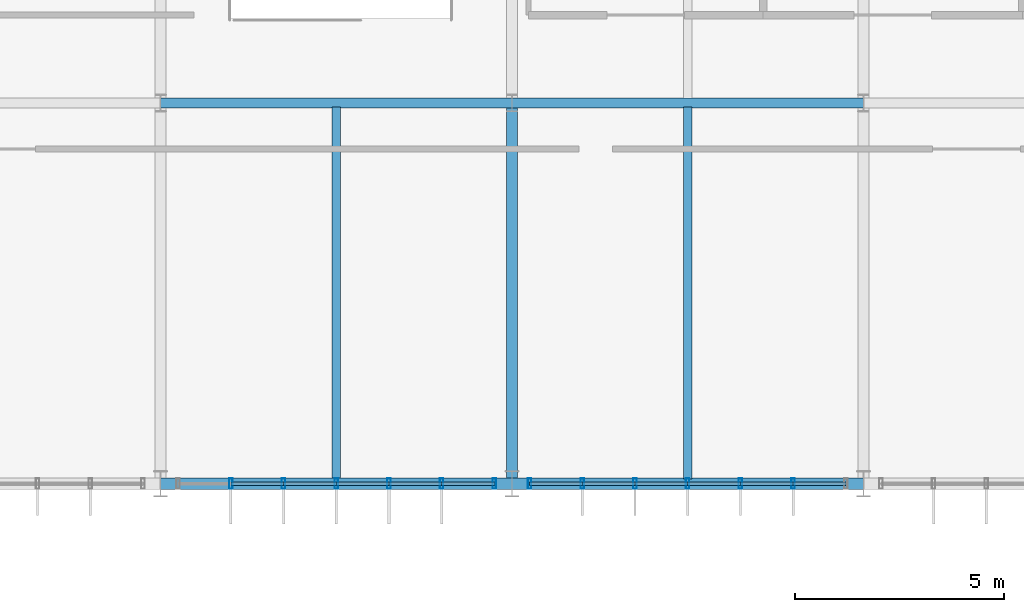
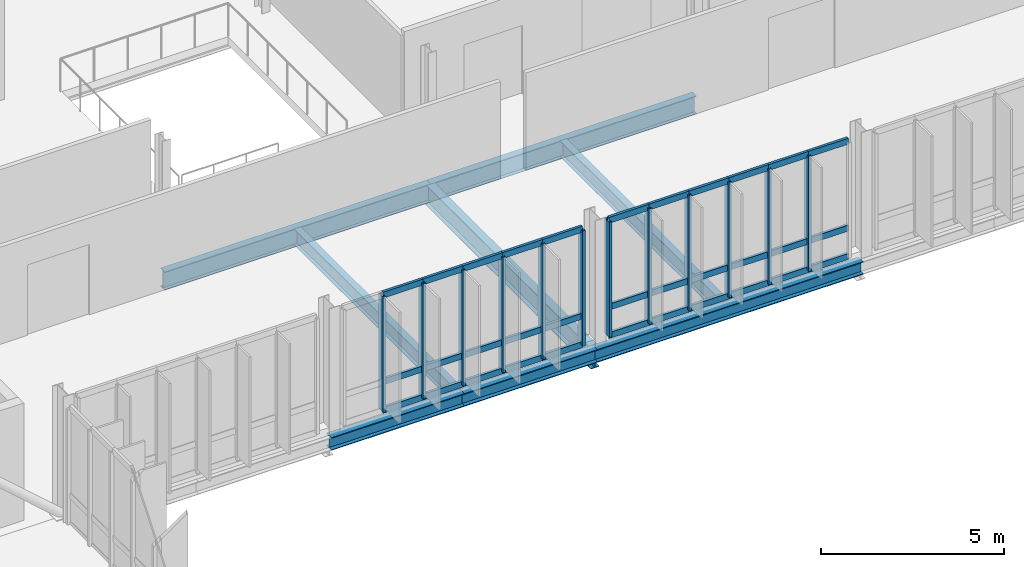
# One storey, part 33 of 107: 45 members, 8 beams, 2 elements without a shape of their own.
"""IFC4 building model written with IfcOpenShell, lengths in metres."""

import ifcopenshell
import ifcopenshell.guid

model = None  # the IFC model being written
_history = None  # IfcOwnerHistory: only IFC2X3 demands one
_inside = {}  # id of a spatial element -> (the spatial element, [elements in it])
_under = {}  # id of a project, library or spatial element -> (it, [spatial elements below it])
_declared = {}  # id of a project -> (the project, [libraries it declares])
_typed = {}  # id of a type object -> (the type object, [elements of that type])
_made_of = {}  # id of a material, layer set ... -> (it, [elements and type objects made of it])


def new_model(schema):
    """Start an empty IFC model of exactly this schema.

    Asked for "IFC4X3", IfcOpenShell would pick the latest addendum, in which some entities
    have other attributes; the version numbers below select the first issue.
    IFC2X3 requires an IfcOwnerHistory on every rooted entity: one is made here for all.
    """
    global model, _history
    if schema == "IFC4X3":
        model = ifcopenshell.file(schema_version=(4, 3, 0, 0))
    else:
        model = ifcopenshell.file(schema=schema)
    _inside.clear()
    _under.clear()
    _declared.clear()
    _typed.clear()
    _made_of.clear()
    _history = None
    if model.schema == "IFC2X3":
        org = make("IfcOrganization", Name="unknown")
        user = make(
            "IfcPersonAndOrganization",
            ThePerson=make("IfcPerson", FamilyName="unknown"),
            TheOrganization=org,
        )
        app = make(
            "IfcApplication",
            ApplicationDeveloper=org,
            Version="unknown",
            ApplicationFullName="unknown",
            ApplicationIdentifier="unknown",
        )
        _history = make(
            "IfcOwnerHistory",
            OwningUser=user,
            OwningApplication=app,
            ChangeAction="ADDED",
            CreationDate=0,
        )
    return model


def make(cls, **values):
    """One entity of the class cls with the attributes given. An attribute that is None is left unset."""
    return model.create_entity(
        cls, **{name: value for name, value in values.items() if value is not None}
    )


def rooted(cls, **values):
    """An entity with a GlobalId (a new one), such as an element, a storey or a relation."""
    return make(cls, GlobalId=ifcopenshell.guid.new(), OwnerHistory=_history, **values)


def si_unit(unit_type, name, prefix=None):
    """IfcSIUnit, for example si_unit("LENGTHUNIT", "METRE", prefix="MILLI")."""
    return make("IfcSIUnit", UnitType=unit_type, Prefix=prefix, Name=name)


def derived_unit(unit_type, elements):
    """IfcDerivedUnit: a product of units, each with its exponent."""
    return make(
        "IfcDerivedUnit",
        Elements=[
            make("IfcDerivedUnitElement", Unit=unit, Exponent=power)
            for unit, power in elements
        ],
        UnitType=unit_type,
    )


def assignment(units):
    """IfcUnitAssignment: the units of a project."""
    return None if units is None else make("IfcUnitAssignment", Units=units)


def point(xyz):
    """IfcCartesianPoint."""
    return None if xyz is None else make("IfcCartesianPoint", Coordinates=xyz)


def direction(xyz):
    """IfcDirection."""
    return None if xyz is None else make("IfcDirection", DirectionRatios=xyz)


def frame(location, z_axis=None, x_axis=None):
    """IfcAxis2Placement3D, a coordinate frame: its origin and axes. An axis left out is left unset."""
    return make(
        "IfcAxis2Placement3D",
        Location=point(location),
        Axis=direction(z_axis),
        RefDirection=direction(x_axis),
    )


def frame_2d(location, x_axis=None):
    """IfcAxis2Placement2D, a coordinate frame in the plane: its origin and x axis."""
    return make(
        "IfcAxis2Placement2D", Location=point(location), RefDirection=direction(x_axis)
    )


def origin():
    """The frame at (0, 0, 0) with its axes left unset."""
    return frame((0.0, 0.0, 0.0))


def origin_2d():
    """The frame at (0, 0) in the plane with its x axis left unset."""
    return frame_2d((0.0, 0.0))


def place(relative_to, where):
    """IfcLocalPlacement: puts the frame where relative to a parent placement (None: the world)."""
    return make(
        "IfcLocalPlacement", PlacementRelTo=relative_to, RelativePlacement=where
    )


def context(
    kind, dimensions, precision=None, world=None, true_north=None, identifier=None
):
    """IfcGeometricRepresentationContext, for example the 3D "Model" context."""
    return make(
        "IfcGeometricRepresentationContext",
        ContextIdentifier=identifier,
        ContextType=kind,
        CoordinateSpaceDimension=dimensions,
        Precision=precision,
        WorldCoordinateSystem=world,
        TrueNorth=true_north,
    )


def subcontext(parent, identifier, kind, view, scale=None):
    """IfcGeometricRepresentationSubContext, for example "Body" below "Model"."""
    return make(
        "IfcGeometricRepresentationSubContext",
        ContextIdentifier=identifier,
        ContextType=kind,
        ParentContext=parent,
        TargetScale=scale,
        TargetView=view,
    )


def project(units=None, contexts=None):
    """IfcProject with its units and contexts."""
    return rooted(
        "IfcProject",
        Name="project",
        RepresentationContexts=contexts,
        UnitsInContext=assignment(units),
    )


def spatial(cls, under=None, at=None, **own):
    """A site, building, storey or space (cls), placed at a placement, below another one or the project."""
    s = rooted(cls, ObjectPlacement=at, **own)
    if under is not None:
        _under.setdefault(under.id(), (under, []))[1].append(s)
    return s


def profile(cls, at=None, kind="AREA", **sizes):
    """A parametric profile (cls). Its sizes go by their IFC names, for example OverallWidth=200.0."""
    return make(cls, ProfileType=kind, Position=at, **sizes)


def hollow_rectangle(**sizes):
    """IfcRectangleHollowProfileDef."""
    return profile("IfcRectangleHollowProfileDef", **sizes)


def i_section(**sizes):
    """IfcIShapeProfileDef."""
    return profile("IfcIShapeProfileDef", **sizes)


def extrude(swept, where, along, depth):
    """IfcExtrudedAreaSolid: the profile swept, set in the frame where, extruded along a direction by depth."""
    return make(
        "IfcExtrudedAreaSolid",
        SweptArea=swept,
        Position=where,
        ExtrudedDirection=direction(along),
        Depth=depth,
    )


def shape(context_of_items, identifier, shape_type, items):
    """IfcShapeRepresentation: the items that make up one representation, for example the "Body"."""
    return make(
        "IfcShapeRepresentation",
        ContextOfItems=context_of_items,
        RepresentationIdentifier=identifier,
        RepresentationType=shape_type,
        Items=items,
    )


def material(Name=None, Category=None):
    """IfcMaterial."""
    return make("IfcMaterial", Name=Name, Category=Category)


def layer(
    of_material, thickness, ventilated=None, Name=None, Category=None, Priority=None
):
    """IfcMaterialLayer: one layer of a wall or slab, of a material (None: an air gap)."""
    return make(
        "IfcMaterialLayer",
        Material=of_material,
        LayerThickness=thickness,
        IsVentilated=ventilated,
        Name=Name,
        Category=Category,
        Priority=Priority,
    )


def layer_set(layers, Name=None):
    """IfcMaterialLayerSet."""
    return make("IfcMaterialLayerSet", MaterialLayers=layers, LayerSetName=Name)


def material_profile(
    of_material, cross_section, Name=None, Category=None, Priority=None
):
    """IfcMaterialProfile: a cross section and its material."""
    return make(
        "IfcMaterialProfile",
        Name=Name,
        Material=of_material,
        Profile=cross_section,
        Priority=Priority,
        Category=Category,
    )


def profile_set(profiles, Name=None, composite=None):
    """IfcMaterialProfileSet."""
    return make(
        "IfcMaterialProfileSet",
        Name=Name,
        MaterialProfiles=profiles,
        CompositeProfile=composite,
    )


def made_of(thing, what):
    """Note that an element or type object is made of a material, layer set ...; save() writes the relation."""
    if what is not None:
        _made_of.setdefault(what.id(), (what, []))[1].append(thing)
    return thing


def type_object(cls, material=None, **own):
    """A type object (cls), such as IfcWallType, which elements share."""
    return made_of(rooted(cls, **own), material)


def element(
    cls,
    number,
    at=None,
    inside=None,
    cuts=None,
    type_object=None,
    material=None,
    context=None,
    identifier="Body",
    shape_type=None,
    held_by="IfcProductDefinitionShape",
    body=None,
    shapes=None,
    **own,
):
    """One element of the class cls, such as IfcWall. Its Tag is "e" and its number.

    at: its placement. inside: the storey or other place that contains it. cuts: it is an
    opening in that element (IfcRelVoidsElement). A single representation is given by context,
    identifier, shape_type and body (its items); several are given by shapes. held_by: the class
    of the entity that holds the representations. save() writes the other relations.
    """
    e = rooted(cls, Tag="e%d" % number, ObjectPlacement=at, **own)
    if body is not None:
        shapes = [shape(context, identifier, shape_type, body)]
    if shapes is not None:
        e.Representation = make(held_by, Representations=shapes)
    if inside is not None:
        _inside.setdefault(inside.id(), (inside, []))[1].append(e)
    if cuts is not None:
        rooted(
            "IfcRelVoidsElement", RelatingBuildingElement=cuts, RelatedOpeningElement=e
        )
    if type_object is not None:
        _typed.setdefault(type_object.id(), (type_object, []))[1].append(e)
    return made_of(e, material)


def aggregate(whole, parts):
    """IfcRelAggregates: a whole, such as a stair, and the parts it consists of."""
    return rooted("IfcRelAggregates", RelatingObject=whole, RelatedObjects=parts)


def save(model, path):
    """Write the relations noted so far, then the file.

    IfcRelAggregates (storeys below a building ...), IfcRelContainedInSpatialStructure (elements
    in a storey), IfcRelDefinesByType, IfcRelAssociatesMaterial and IfcRelDeclares: one each for
    every whole, place, type object, material and project.
    """
    for whole, parts in _under.values():
        aggregate(whole, parts)
    for where, things in _inside.values():
        rooted(
            "IfcRelContainedInSpatialStructure",
            RelatedElements=things,
            RelatingStructure=where,
        )
    for kind, things in _typed.values():
        rooted("IfcRelDefinesByType", RelatedObjects=things, RelatingType=kind)
    for what, things in _made_of.values():
        rooted("IfcRelAssociatesMaterial", RelatedObjects=things, RelatingMaterial=what)
    for by, libraries in _declared.values():
        rooted("IfcRelDeclares", RelatingContext=by, RelatedDefinitions=libraries)
    model.write(path)


model = new_model("IFC4")

# Units and contexts
model_context = context("Model", 3, precision=1e-05, world=origin(), true_north=direction((0.0, 1.0)))
body_context = subcontext(model_context, "Body", "Model", "MODEL_VIEW")
ifc_project = project(units=[si_unit("LENGTHUNIT", "METRE"), si_unit("AREAUNIT", "SQUARE_METRE"), si_unit("VOLUMEUNIT", "CUBIC_METRE"), si_unit("PLANEANGLEUNIT", "RADIAN"), si_unit("MASSUNIT", "GRAM", prefix="KILO"), derived_unit("THERMALTRANSMITTANCEUNIT", [(si_unit("MASSUNIT", "GRAM", prefix="KILO"), 1), (si_unit("TIMEUNIT", "SECOND"), -3), (si_unit("THERMODYNAMICTEMPERATUREUNIT", "KELVIN"), -1)])], contexts=[model_context])

# Site, building, storey
site_placement = place(None, origin())
site = spatial("IfcSite", under=ifc_project, at=site_placement, CompositionType="ELEMENT")
building_placement = place(site_placement, origin())
building = spatial("IfcBuilding", under=site, at=building_placement, Name="Makaiwela Harbour Ferry Terminal", CompositionType="ELEMENT")
storey_placement = place(building_placement, frame((0.0, 0.0, 9.60009765625)))
storey = spatial("IfcBuildingStorey", under=building, at=storey_placement, Name="L02", CompositionType="ELEMENT", Elevation=9.60009765625)

# Curtain wall, members
ifc_material_1 = material(Name="Marine anodised aluminium 6063-T6", Category="aluminium")
ifc_layer = layer(ifc_material_1, 0.199951171875)
ifc_layer_set = layer_set([ifc_layer], Name="Marine anodised aluminium 6063-T6")
curtain_wall_type = type_object("IfcCurtainWallType", Name="ENV-CW-09", PredefinedType="USERDEFINED", material=ifc_layer_set)
curtain_wall_1_placement = place(storey_placement, origin())
curtain_wall_1 = element("IfcCurtainWall", 1, at=curtain_wall_1_placement, inside=storey, type_object=curtain_wall_type, Name="Unitised Curtain Wall CWA-079", ObjectType="UNITIZED CURTAIN WALL", PredefinedType="USERDEFINED")
ifc_material_profile_1 = material_profile(ifc_material_1, hollow_rectangle(XDim=0.0849609375, YDim=0.25, WallThickness=0.0048828125, at=origin_2d()), Name="CWM-250X85")
ifc_profile_set_1 = profile_set([ifc_material_profile_1], Name="Marine anodised aluminium 6063-T6")
member_type_1 = type_object("IfcMemberType", Name="CW-MUL-250", PredefinedType="MULLION", material=ifc_profile_set_1)
member_1_placement = place(storey_placement, frame((87.780029296875, 49.39990234375, 0.0), z_axis=(0.0, 0.0, 1.0), x_axis=(1.0, 0.0, 0.0)))
member_1 = element("IfcMember", 2, at=member_1_placement, type_object=member_type_1, Name="Curtain Wall Mullion CWA-079-1", PredefinedType="MULLION", context=body_context, shape_type="SweptSolid", body=[
    extrude(hollow_rectangle(XDim=0.0849609375, YDim=0.25, WallThickness=0.0048828125, at=origin_2d()), origin(), (0.0, 0.0, 1.0), 3.849853515625),
])
member_2_placement = place(storey_placement, frame((86.52001953125, 49.39990234375, 0.0), z_axis=(0.0, 0.0, 1.0), x_axis=(1.0, 0.0, 0.0)))
member_2 = element("IfcMember", 3, at=member_2_placement, type_object=member_type_1, Name="Curtain Wall Mullion CWA-079-2", PredefinedType="MULLION", context=body_context, shape_type="SweptSolid", body=[
    extrude(hollow_rectangle(XDim=0.0849609375, YDim=0.25, WallThickness=0.0048828125, at=origin_2d()), origin(), (0.0, 0.0, 1.0), 3.849853515625),
])
member_3_placement = place(storey_placement, frame((85.260009765625, 49.39990234375, 0.0), z_axis=(0.0, 0.0, 1.0), x_axis=(1.0, 0.0, 0.0)))
member_3 = element("IfcMember", 4, at=member_3_placement, type_object=member_type_1, Name="Curtain Wall Mullion CWA-079-3", PredefinedType="MULLION", context=body_context, shape_type="SweptSolid", body=[
    extrude(hollow_rectangle(XDim=0.0849609375, YDim=0.25, WallThickness=0.0048828125, at=origin_2d()), origin(), (0.0, 0.0, 1.0), 3.849853515625),
])
member_4_placement = place(storey_placement, frame((84.0, 49.39990234375, 0.0), z_axis=(0.0, 0.0, 1.0), x_axis=(1.0, 0.0, 0.0)))
member_4 = element("IfcMember", 5, at=member_4_placement, type_object=member_type_1, Name="Curtain Wall Mullion CWA-079-4", PredefinedType="MULLION", context=body_context, shape_type="SweptSolid", body=[
    extrude(hollow_rectangle(XDim=0.0849609375, YDim=0.25, WallThickness=0.0048828125, at=origin_2d()), origin(), (0.0, 0.0, 1.0), 3.849853515625),
])
member_5_placement = place(storey_placement, frame((82.739990234375, 49.39990234375, 0.0), z_axis=(0.0, 0.0, 1.0), x_axis=(1.0, 0.0, 0.0)))
member_5 = element("IfcMember", 6, at=member_5_placement, type_object=member_type_1, Name="Curtain Wall Mullion CWA-079-5", PredefinedType="MULLION", context=body_context, shape_type="SweptSolid", body=[
    extrude(hollow_rectangle(XDim=0.0849609375, YDim=0.25, WallThickness=0.0048828125, at=origin_2d()), origin(), (0.0, 0.0, 1.0), 3.849853515625),
])
member_6_placement = place(storey_placement, frame((81.47998046875, 49.39990234375, 0.0), z_axis=(0.0, 0.0, 1.0), x_axis=(1.0, 0.0, 0.0)))
member_6 = element("IfcMember", 7, at=member_6_placement, type_object=member_type_1, Name="Curtain Wall Mullion CWA-079-6", PredefinedType="MULLION", context=body_context, shape_type="SweptSolid", body=[
    extrude(hollow_rectangle(XDim=0.0849609375, YDim=0.25, WallThickness=0.0048828125, at=origin_2d()), origin(), (0.0, 0.0, 1.0), 3.849853515625),
])

curtain_wall_2_placement = place(storey_placement, origin())
curtain_wall_2 = element("IfcCurtainWall", 8, at=curtain_wall_2_placement, inside=storey, type_object=curtain_wall_type, Name="Unitised Curtain Wall CWA-081", ObjectType="UNITIZED CURTAIN WALL", PredefinedType="USERDEFINED")
member_7_placement = place(storey_placement, frame((94.919921875, 49.39990234375, 0.0), z_axis=(0.0, 0.0, 1.0), x_axis=(1.0, 0.0, 0.0)))
member_7 = element("IfcMember", 9, at=member_7_placement, type_object=member_type_1, Name="Curtain Wall Mullion CWA-081-2", PredefinedType="MULLION", context=body_context, shape_type="SweptSolid", body=[
    extrude(hollow_rectangle(XDim=0.0849609375, YDim=0.25, WallThickness=0.0048828125, at=origin_2d()), origin(), (0.0, 0.0, 1.0), 3.849853515625),
])
member_8_placement = place(storey_placement, frame((93.659912109375, 49.39990234375, 0.0), z_axis=(0.0, 0.0, 1.0), x_axis=(1.0, 0.0, 0.0)))
member_8 = element("IfcMember", 10, at=member_8_placement, type_object=member_type_1, Name="Curtain Wall Mullion CWA-081-3", PredefinedType="MULLION", context=body_context, shape_type="SweptSolid", body=[
    extrude(hollow_rectangle(XDim=0.0849609375, YDim=0.25, WallThickness=0.0048828125, at=origin_2d()), origin(), (0.0, 0.0, 1.0), 3.849853515625),
])
member_9_placement = place(storey_placement, frame((92.39990234375, 49.39990234375, 0.0), z_axis=(0.0, 0.0, 1.0), x_axis=(1.0, 0.0, 0.0)))
member_9 = element("IfcMember", 11, at=member_9_placement, type_object=member_type_1, Name="Curtain Wall Mullion CWA-081-4", PredefinedType="MULLION", context=body_context, shape_type="SweptSolid", body=[
    extrude(hollow_rectangle(XDim=0.0849609375, YDim=0.25, WallThickness=0.0048828125, at=origin_2d()), origin(), (0.0, 0.0, 1.0), 3.849853515625),
])
member_10_placement = place(storey_placement, frame((91.139892578125, 49.39990234375, 0.0), z_axis=(0.0, 0.0, 1.0), x_axis=(1.0, 0.0, 0.0)))
member_10 = element("IfcMember", 12, at=member_10_placement, type_object=member_type_1, Name="Curtain Wall Mullion CWA-081-5", PredefinedType="MULLION", context=body_context, shape_type="SweptSolid", body=[
    extrude(hollow_rectangle(XDim=0.0849609375, YDim=0.25, WallThickness=0.0048828125, at=origin_2d()), origin(), (0.0, 0.0, 1.0), 3.849853515625),
])
member_11_placement = place(storey_placement, frame((89.8798828125, 49.39990234375, 0.0), z_axis=(0.0, 0.0, 1.0), x_axis=(1.0, 0.0, 0.0)))
member_11 = element("IfcMember", 13, at=member_11_placement, type_object=member_type_1, Name="Curtain Wall Mullion CWA-081-6", PredefinedType="MULLION", context=body_context, shape_type="SweptSolid", body=[
    extrude(hollow_rectangle(XDim=0.0849609375, YDim=0.25, WallThickness=0.0048828125, at=origin_2d()), origin(), (0.0, 0.0, 1.0), 3.849853515625),
])
member_12_placement = place(storey_placement, frame((88.6201171875, 49.39990234375, 0.0), z_axis=(0.0, 0.0, 1.0), x_axis=(1.0, 0.0, 0.0)))
member_12 = element("IfcMember", 14, at=member_12_placement, type_object=member_type_1, Name="Curtain Wall Mullion CWA-081-7", PredefinedType="MULLION", context=body_context, shape_type="SweptSolid", body=[
    extrude(hollow_rectangle(XDim=0.0849609375, YDim=0.25, WallThickness=0.0048828125, at=origin_2d()), origin(), (0.0, 0.0, 1.0), 3.849853515625),
])

# Member
ifc_material_profile_2 = material_profile(ifc_material_1, hollow_rectangle(XDim=0.0849609375, YDim=0.199951171875, WallThickness=0.0048828125, at=origin_2d()), Name="CWT-200X85")
ifc_profile_set_2 = profile_set([ifc_material_profile_2], Name="Marine anodised aluminium 6063-T6")
member_type_2 = type_object("IfcMemberType", Name="CW-TRN-200", PredefinedType="USERDEFINED", material=ifc_profile_set_2)
member_13_placement = place(storey_placement, frame((87.780029296875, 49.39990234375, 0.0), z_axis=(-1.0, 0.0, 0.0), x_axis=(0.0, -1.0, 0.0)))
member_13 = element("IfcMember", 15, at=member_13_placement, type_object=member_type_2, Name="Curtain Wall Transom CWA-079-1-1", ObjectType="TRANSOM", PredefinedType="USERDEFINED", context=body_context, shape_type="SweptSolid", body=[
    extrude(hollow_rectangle(XDim=0.0849609375, YDim=0.199951171875, WallThickness=0.0048828125, at=origin_2d()), origin(), (0.0, 0.0, 1.0), 1.260009765625),
])

member_14_placement = place(storey_placement, frame((87.780029296875, 49.39990234375, 0.949951171875), z_axis=(-1.0, 0.0, 0.0), x_axis=(0.0, -1.0, 0.0)))
member_14 = element("IfcMember", 16, at=member_14_placement, type_object=member_type_2, Name="Curtain Wall Transom CWA-079-1-2", ObjectType="TRANSOM", PredefinedType="USERDEFINED", context=body_context, shape_type="SweptSolid", body=[
    extrude(hollow_rectangle(XDim=0.0849609375, YDim=0.199951171875, WallThickness=0.0048828125, at=origin_2d()), origin(), (0.0, 0.0, 1.0), 1.260009765625),
])

member_15_placement = place(storey_placement, frame((87.780029296875, 49.39990234375, 3.849853515625), z_axis=(-1.0, 0.0, 0.0), x_axis=(0.0, -1.0, 0.0)))
member_15 = element("IfcMember", 17, at=member_15_placement, type_object=member_type_2, Name="Curtain Wall Transom CWA-079-1-3", ObjectType="TRANSOM", PredefinedType="USERDEFINED", context=body_context, shape_type="SweptSolid", body=[
    extrude(hollow_rectangle(XDim=0.0849609375, YDim=0.199951171875, WallThickness=0.0048828125, at=origin_2d()), origin(), (0.0, 0.0, 1.0), 1.260009765625),
])

member_16_placement = place(storey_placement, frame((86.52001953125, 49.39990234375, 0.0), z_axis=(-1.0, 0.0, 0.0), x_axis=(0.0, -1.0, 0.0)))
member_16 = element("IfcMember", 18, at=member_16_placement, type_object=member_type_2, Name="Curtain Wall Transom CWA-079-2-1", ObjectType="TRANSOM", PredefinedType="USERDEFINED", context=body_context, shape_type="SweptSolid", body=[
    extrude(hollow_rectangle(XDim=0.0849609375, YDim=0.199951171875, WallThickness=0.0048828125, at=origin_2d()), origin(), (0.0, 0.0, 1.0), 1.260009765625),
])

member_17_placement = place(storey_placement, frame((86.52001953125, 49.39990234375, 0.949951171875), z_axis=(-1.0, 0.0, 0.0), x_axis=(0.0, -1.0, 0.0)))
member_17 = element("IfcMember", 19, at=member_17_placement, type_object=member_type_2, Name="Curtain Wall Transom CWA-079-2-2", ObjectType="TRANSOM", PredefinedType="USERDEFINED", context=body_context, shape_type="SweptSolid", body=[
    extrude(hollow_rectangle(XDim=0.0849609375, YDim=0.199951171875, WallThickness=0.0048828125, at=origin_2d()), origin(), (0.0, 0.0, 1.0), 1.260009765625),
])

member_18_placement = place(storey_placement, frame((86.52001953125, 49.39990234375, 3.849853515625), z_axis=(-1.0, 0.0, 0.0), x_axis=(0.0, -1.0, 0.0)))
member_18 = element("IfcMember", 20, at=member_18_placement, type_object=member_type_2, Name="Curtain Wall Transom CWA-079-2-3", ObjectType="TRANSOM", PredefinedType="USERDEFINED", context=body_context, shape_type="SweptSolid", body=[
    extrude(hollow_rectangle(XDim=0.0849609375, YDim=0.199951171875, WallThickness=0.0048828125, at=origin_2d()), origin(), (0.0, 0.0, 1.0), 1.260009765625),
])

member_19_placement = place(storey_placement, frame((85.260009765625, 49.39990234375, 0.0), z_axis=(-1.0, 0.0, 0.0), x_axis=(0.0, -1.0, 0.0)))
member_19 = element("IfcMember", 21, at=member_19_placement, type_object=member_type_2, Name="Curtain Wall Transom CWA-079-3-1", ObjectType="TRANSOM", PredefinedType="USERDEFINED", context=body_context, shape_type="SweptSolid", body=[
    extrude(hollow_rectangle(XDim=0.0849609375, YDim=0.199951171875, WallThickness=0.0048828125, at=origin_2d()), origin(), (0.0, 0.0, 1.0), 1.260009765625),
])

member_20_placement = place(storey_placement, frame((85.260009765625, 49.39990234375, 0.949951171875), z_axis=(-1.0, 0.0, 0.0), x_axis=(0.0, -1.0, 0.0)))
member_20 = element("IfcMember", 22, at=member_20_placement, type_object=member_type_2, Name="Curtain Wall Transom CWA-079-3-2", ObjectType="TRANSOM", PredefinedType="USERDEFINED", context=body_context, shape_type="SweptSolid", body=[
    extrude(hollow_rectangle(XDim=0.0849609375, YDim=0.199951171875, WallThickness=0.0048828125, at=origin_2d()), origin(), (0.0, 0.0, 1.0), 1.260009765625),
])

member_21_placement = place(storey_placement, frame((85.260009765625, 49.39990234375, 3.849853515625), z_axis=(-1.0, 0.0, 0.0), x_axis=(0.0, -1.0, 0.0)))
member_21 = element("IfcMember", 23, at=member_21_placement, type_object=member_type_2, Name="Curtain Wall Transom CWA-079-3-3", ObjectType="TRANSOM", PredefinedType="USERDEFINED", context=body_context, shape_type="SweptSolid", body=[
    extrude(hollow_rectangle(XDim=0.0849609375, YDim=0.199951171875, WallThickness=0.0048828125, at=origin_2d()), origin(), (0.0, 0.0, 1.0), 1.260009765625),
])

member_22_placement = place(storey_placement, frame((84.0, 49.39990234375, 0.0), z_axis=(-1.0, 0.0, 0.0), x_axis=(0.0, -1.0, 0.0)))
member_22 = element("IfcMember", 24, at=member_22_placement, type_object=member_type_2, Name="Curtain Wall Transom CWA-079-4-1", ObjectType="TRANSOM", PredefinedType="USERDEFINED", context=body_context, shape_type="SweptSolid", body=[
    extrude(hollow_rectangle(XDim=0.0849609375, YDim=0.199951171875, WallThickness=0.0048828125, at=origin_2d()), origin(), (0.0, 0.0, 1.0), 1.260009765625),
])

member_23_placement = place(storey_placement, frame((84.0, 49.39990234375, 0.949951171875), z_axis=(-1.0, 0.0, 0.0), x_axis=(0.0, -1.0, 0.0)))
member_23 = element("IfcMember", 25, at=member_23_placement, type_object=member_type_2, Name="Curtain Wall Transom CWA-079-4-2", ObjectType="TRANSOM", PredefinedType="USERDEFINED", context=body_context, shape_type="SweptSolid", body=[
    extrude(hollow_rectangle(XDim=0.0849609375, YDim=0.199951171875, WallThickness=0.0048828125, at=origin_2d()), origin(), (0.0, 0.0, 1.0), 1.260009765625),
])

member_24_placement = place(storey_placement, frame((84.0, 49.39990234375, 3.849853515625), z_axis=(-1.0, 0.0, 0.0), x_axis=(0.0, -1.0, 0.0)))
member_24 = element("IfcMember", 26, at=member_24_placement, type_object=member_type_2, Name="Curtain Wall Transom CWA-079-4-3", ObjectType="TRANSOM", PredefinedType="USERDEFINED", context=body_context, shape_type="SweptSolid", body=[
    extrude(hollow_rectangle(XDim=0.0849609375, YDim=0.199951171875, WallThickness=0.0048828125, at=origin_2d()), origin(), (0.0, 0.0, 1.0), 1.260009765625),
])

member_25_placement = place(storey_placement, frame((82.739990234375, 49.39990234375, 0.0), z_axis=(-1.0, 0.0, 0.0), x_axis=(0.0, -1.0, 0.0)))
member_25 = element("IfcMember", 27, at=member_25_placement, type_object=member_type_2, Name="Curtain Wall Transom CWA-079-5-1", ObjectType="TRANSOM", PredefinedType="USERDEFINED", context=body_context, shape_type="SweptSolid", body=[
    extrude(hollow_rectangle(XDim=0.0849609375, YDim=0.199951171875, WallThickness=0.0048828125, at=origin_2d()), origin(), (0.0, 0.0, 1.0), 1.260009765625),
])

member_26_placement = place(storey_placement, frame((82.739990234375, 49.39990234375, 0.949951171875), z_axis=(-1.0, 0.0, 0.0), x_axis=(0.0, -1.0, 0.0)))
member_26 = element("IfcMember", 28, at=member_26_placement, type_object=member_type_2, Name="Curtain Wall Transom CWA-079-5-2", ObjectType="TRANSOM", PredefinedType="USERDEFINED", context=body_context, shape_type="SweptSolid", body=[
    extrude(hollow_rectangle(XDim=0.0849609375, YDim=0.199951171875, WallThickness=0.0048828125, at=origin_2d()), origin(), (0.0, 0.0, 1.0), 1.260009765625),
])

member_27_placement = place(storey_placement, frame((82.739990234375, 49.39990234375, 3.849853515625), z_axis=(-1.0, 0.0, 0.0), x_axis=(0.0, -1.0, 0.0)))
member_27 = element("IfcMember", 29, at=member_27_placement, type_object=member_type_2, Name="Curtain Wall Transom CWA-079-5-3", ObjectType="TRANSOM", PredefinedType="USERDEFINED", context=body_context, shape_type="SweptSolid", body=[
    extrude(hollow_rectangle(XDim=0.0849609375, YDim=0.199951171875, WallThickness=0.0048828125, at=origin_2d()), origin(), (0.0, 0.0, 1.0), 1.260009765625),
])

aggregate(curtain_wall_1, [member_1, member_2, member_3, member_4, member_5, member_6, member_13, member_14, member_15, member_16, member_17, member_18, member_19, member_20, member_21, member_22, member_23, member_24, member_25, member_26, member_27])

member_28_placement = place(storey_placement, frame((96.179931640625, 49.39990234375, 0.0), z_axis=(-1.0, 0.0, 0.0), x_axis=(0.0, -1.0, 0.0)))
member_28 = element("IfcMember", 30, at=member_28_placement, type_object=member_type_2, Name="Curtain Wall Transom CWA-081-1-1", ObjectType="TRANSOM", PredefinedType="USERDEFINED", context=body_context, shape_type="SweptSolid", body=[
    extrude(hollow_rectangle(XDim=0.0849609375, YDim=0.199951171875, WallThickness=0.0048828125, at=origin_2d()), origin(), (0.0, 0.0, 1.0), 1.260009765625),
])

member_29_placement = place(storey_placement, frame((96.179931640625, 49.39990234375, 0.949951171875), z_axis=(-1.0, 0.0, 0.0), x_axis=(0.0, -1.0, 0.0)))
member_29 = element("IfcMember", 31, at=member_29_placement, type_object=member_type_2, Name="Curtain Wall Transom CWA-081-1-2", ObjectType="TRANSOM", PredefinedType="USERDEFINED", context=body_context, shape_type="SweptSolid", body=[
    extrude(hollow_rectangle(XDim=0.0849609375, YDim=0.199951171875, WallThickness=0.0048828125, at=origin_2d()), origin(), (0.0, 0.0, 1.0), 1.260009765625),
])

member_30_placement = place(storey_placement, frame((96.179931640625, 49.39990234375, 3.849853515625), z_axis=(-1.0, 0.0, 0.0), x_axis=(0.0, -1.0, 0.0)))
member_30 = element("IfcMember", 32, at=member_30_placement, type_object=member_type_2, Name="Curtain Wall Transom CWA-081-1-3", ObjectType="TRANSOM", PredefinedType="USERDEFINED", context=body_context, shape_type="SweptSolid", body=[
    extrude(hollow_rectangle(XDim=0.0849609375, YDim=0.199951171875, WallThickness=0.0048828125, at=origin_2d()), origin(), (0.0, 0.0, 1.0), 1.260009765625),
])

member_31_placement = place(storey_placement, frame((94.919921875, 49.39990234375, 0.0), z_axis=(-1.0, 0.0, 0.0), x_axis=(0.0, -1.0, 0.0)))
member_31 = element("IfcMember", 33, at=member_31_placement, type_object=member_type_2, Name="Curtain Wall Transom CWA-081-2-1", ObjectType="TRANSOM", PredefinedType="USERDEFINED", context=body_context, shape_type="SweptSolid", body=[
    extrude(hollow_rectangle(XDim=0.0849609375, YDim=0.199951171875, WallThickness=0.0048828125, at=origin_2d()), origin(), (0.0, 0.0, 1.0), 1.260009765625),
])

member_32_placement = place(storey_placement, frame((94.919921875, 49.39990234375, 0.949951171875), z_axis=(-1.0, 0.0, 0.0), x_axis=(0.0, -1.0, 0.0)))
member_32 = element("IfcMember", 34, at=member_32_placement, type_object=member_type_2, Name="Curtain Wall Transom CWA-081-2-2", ObjectType="TRANSOM", PredefinedType="USERDEFINED", context=body_context, shape_type="SweptSolid", body=[
    extrude(hollow_rectangle(XDim=0.0849609375, YDim=0.199951171875, WallThickness=0.0048828125, at=origin_2d()), origin(), (0.0, 0.0, 1.0), 1.260009765625),
])

member_33_placement = place(storey_placement, frame((94.919921875, 49.39990234375, 3.849853515625), z_axis=(-1.0, 0.0, 0.0), x_axis=(0.0, -1.0, 0.0)))
member_33 = element("IfcMember", 35, at=member_33_placement, type_object=member_type_2, Name="Curtain Wall Transom CWA-081-2-3", ObjectType="TRANSOM", PredefinedType="USERDEFINED", context=body_context, shape_type="SweptSolid", body=[
    extrude(hollow_rectangle(XDim=0.0849609375, YDim=0.199951171875, WallThickness=0.0048828125, at=origin_2d()), origin(), (0.0, 0.0, 1.0), 1.260009765625),
])

member_34_placement = place(storey_placement, frame((93.659912109375, 49.39990234375, 0.0), z_axis=(-1.0, 0.0, 0.0), x_axis=(0.0, -1.0, 0.0)))
member_34 = element("IfcMember", 36, at=member_34_placement, type_object=member_type_2, Name="Curtain Wall Transom CWA-081-3-1", ObjectType="TRANSOM", PredefinedType="USERDEFINED", context=body_context, shape_type="SweptSolid", body=[
    extrude(hollow_rectangle(XDim=0.0849609375, YDim=0.199951171875, WallThickness=0.0048828125, at=origin_2d()), origin(), (0.0, 0.0, 1.0), 1.260009765625),
])

member_35_placement = place(storey_placement, frame((93.659912109375, 49.39990234375, 0.949951171875), z_axis=(-1.0, 0.0, 0.0), x_axis=(0.0, -1.0, 0.0)))
member_35 = element("IfcMember", 37, at=member_35_placement, type_object=member_type_2, Name="Curtain Wall Transom CWA-081-3-2", ObjectType="TRANSOM", PredefinedType="USERDEFINED", context=body_context, shape_type="SweptSolid", body=[
    extrude(hollow_rectangle(XDim=0.0849609375, YDim=0.199951171875, WallThickness=0.0048828125, at=origin_2d()), origin(), (0.0, 0.0, 1.0), 1.260009765625),
])

member_36_placement = place(storey_placement, frame((93.659912109375, 49.39990234375, 3.849853515625), z_axis=(-1.0, 0.0, 0.0), x_axis=(0.0, -1.0, 0.0)))
member_36 = element("IfcMember", 38, at=member_36_placement, type_object=member_type_2, Name="Curtain Wall Transom CWA-081-3-3", ObjectType="TRANSOM", PredefinedType="USERDEFINED", context=body_context, shape_type="SweptSolid", body=[
    extrude(hollow_rectangle(XDim=0.0849609375, YDim=0.199951171875, WallThickness=0.0048828125, at=origin_2d()), origin(), (0.0, 0.0, 1.0), 1.260009765625),
])

member_37_placement = place(storey_placement, frame((92.39990234375, 49.39990234375, 0.0), z_axis=(-1.0, 0.0, 0.0), x_axis=(0.0, -1.0, 0.0)))
member_37 = element("IfcMember", 39, at=member_37_placement, type_object=member_type_2, Name="Curtain Wall Transom CWA-081-4-1", ObjectType="TRANSOM", PredefinedType="USERDEFINED", context=body_context, shape_type="SweptSolid", body=[
    extrude(hollow_rectangle(XDim=0.0849609375, YDim=0.199951171875, WallThickness=0.0048828125, at=origin_2d()), origin(), (0.0, 0.0, 1.0), 1.260009765625),
])

member_38_placement = place(storey_placement, frame((92.39990234375, 49.39990234375, 0.949951171875), z_axis=(-1.0, 0.0, 0.0), x_axis=(0.0, -1.0, 0.0)))
member_38 = element("IfcMember", 40, at=member_38_placement, type_object=member_type_2, Name="Curtain Wall Transom CWA-081-4-2", ObjectType="TRANSOM", PredefinedType="USERDEFINED", context=body_context, shape_type="SweptSolid", body=[
    extrude(hollow_rectangle(XDim=0.0849609375, YDim=0.199951171875, WallThickness=0.0048828125, at=origin_2d()), origin(), (0.0, 0.0, 1.0), 1.260009765625),
])

member_39_placement = place(storey_placement, frame((92.39990234375, 49.39990234375, 3.849853515625), z_axis=(-1.0, 0.0, 0.0), x_axis=(0.0, -1.0, 0.0)))
member_39 = element("IfcMember", 41, at=member_39_placement, type_object=member_type_2, Name="Curtain Wall Transom CWA-081-4-3", ObjectType="TRANSOM", PredefinedType="USERDEFINED", context=body_context, shape_type="SweptSolid", body=[
    extrude(hollow_rectangle(XDim=0.0849609375, YDim=0.199951171875, WallThickness=0.0048828125, at=origin_2d()), origin(), (0.0, 0.0, 1.0), 1.260009765625),
])

member_40_placement = place(storey_placement, frame((91.139892578125, 49.39990234375, 0.0), z_axis=(-1.0, 0.0, 0.0), x_axis=(0.0, -1.0, 0.0)))
member_40 = element("IfcMember", 42, at=member_40_placement, type_object=member_type_2, Name="Curtain Wall Transom CWA-081-5-1", ObjectType="TRANSOM", PredefinedType="USERDEFINED", context=body_context, shape_type="SweptSolid", body=[
    extrude(hollow_rectangle(XDim=0.0849609375, YDim=0.199951171875, WallThickness=0.0048828125, at=origin_2d()), origin(), (0.0, 0.0, 1.0), 1.260009765625),
])

member_41_placement = place(storey_placement, frame((91.139892578125, 49.39990234375, 0.949951171875), z_axis=(-1.0, 0.0, 0.0), x_axis=(0.0, -1.0, 0.0)))
member_41 = element("IfcMember", 43, at=member_41_placement, type_object=member_type_2, Name="Curtain Wall Transom CWA-081-5-2", ObjectType="TRANSOM", PredefinedType="USERDEFINED", context=body_context, shape_type="SweptSolid", body=[
    extrude(hollow_rectangle(XDim=0.0849609375, YDim=0.199951171875, WallThickness=0.0048828125, at=origin_2d()), origin(), (0.0, 0.0, 1.0), 1.260009765625),
])

member_42_placement = place(storey_placement, frame((91.139892578125, 49.39990234375, 3.849853515625), z_axis=(-1.0, 0.0, 0.0), x_axis=(0.0, -1.0, 0.0)))
member_42 = element("IfcMember", 44, at=member_42_placement, type_object=member_type_2, Name="Curtain Wall Transom CWA-081-5-3", ObjectType="TRANSOM", PredefinedType="USERDEFINED", context=body_context, shape_type="SweptSolid", body=[
    extrude(hollow_rectangle(XDim=0.0849609375, YDim=0.199951171875, WallThickness=0.0048828125, at=origin_2d()), origin(), (0.0, 0.0, 1.0), 1.260009765625),
])

member_43_placement = place(storey_placement, frame((89.8798828125, 49.39990234375, 0.0), z_axis=(-1.0, 0.0, 0.0), x_axis=(0.0, -1.0, 0.0)))
member_43 = element("IfcMember", 45, at=member_43_placement, type_object=member_type_2, Name="Curtain Wall Transom CWA-081-6-1", ObjectType="TRANSOM", PredefinedType="USERDEFINED", context=body_context, shape_type="SweptSolid", body=[
    extrude(hollow_rectangle(XDim=0.0849609375, YDim=0.199951171875, WallThickness=0.0048828125, at=origin_2d()), origin(), (0.0, 0.0, 1.0), 1.259765625),
])

member_44_placement = place(storey_placement, frame((89.8798828125, 49.39990234375, 0.949951171875), z_axis=(-1.0, 0.0, 0.0), x_axis=(0.0, -1.0, 0.0)))
member_44 = element("IfcMember", 46, at=member_44_placement, type_object=member_type_2, Name="Curtain Wall Transom CWA-081-6-2", ObjectType="TRANSOM", PredefinedType="USERDEFINED", context=body_context, shape_type="SweptSolid", body=[
    extrude(hollow_rectangle(XDim=0.0849609375, YDim=0.199951171875, WallThickness=0.0048828125, at=origin_2d()), origin(), (0.0, 0.0, 1.0), 1.259765625),
])

member_45_placement = place(storey_placement, frame((89.8798828125, 49.39990234375, 3.849853515625), z_axis=(-1.0, 0.0, 0.0), x_axis=(0.0, -1.0, 0.0)))
member_45 = element("IfcMember", 47, at=member_45_placement, type_object=member_type_2, Name="Curtain Wall Transom CWA-081-6-3", ObjectType="TRANSOM", PredefinedType="USERDEFINED", context=body_context, shape_type="SweptSolid", body=[
    extrude(hollow_rectangle(XDim=0.0849609375, YDim=0.199951171875, WallThickness=0.0048828125, at=origin_2d()), origin(), (0.0, 0.0, 1.0), 1.259765625),
])

aggregate(curtain_wall_2, [member_7, member_8, member_9, member_10, member_11, member_12, member_28, member_29, member_30, member_31, member_32, member_33, member_34, member_35, member_36, member_37, member_38, member_39, member_40, member_41, member_42, member_43, member_44, member_45])

# Beams
ifc_material_2 = material(Name="Steel ASTM A992 Grade 50", Category="steel")
ifc_material_profile_3 = material_profile(ifc_material_2, i_section(OverallWidth=0.2099609375, OverallDepth=0.537109375, WebThickness=0.010986328125, FlangeThickness=0.017333984375, at=origin_2d()), Name="W21X68")
ifc_profile_set_3 = profile_set([ifc_material_profile_3], Name="Steel ASTM A992 Grade 50")
beam_type_1 = type_object("IfcBeamType", Name="STR-BM-W21X68", PredefinedType="BEAM", material=ifc_profile_set_3)
for number, where, z_axis, x_axis, name in (
    (48, (84.0, 49.514404296875, -0.528564453125), (0.0, 1.0, 0.0), (-1.0, 0.0, 0.0), "Secondary floor beam 1483"),
    (49, (92.39990234375, 49.514404296875, -0.528564453125), (0.0, 1.0, 0.0), (-1.0, 0.0, 0.0), "Secondary floor beam 1489"),
):
    element("IfcBeam", number, at=place(storey_placement, frame(where, z_axis=z_axis, x_axis=x_axis)), inside=storey, type_object=beam_type_1, Name=name, PredefinedType="BEAM", context=body_context, shape_type="SweptSolid", body=[
        extrude(i_section(OverallWidth=0.2099609375, OverallDepth=0.537109375, WebThickness=0.010986328125, FlangeThickness=0.017333984375, at=origin_2d()), origin(), (0.0, 0.0, 1.0), 8.88916015625),
    ])
ifc_material_profile_4 = material_profile(ifc_material_2, i_section(OverallWidth=0.22900390625, OverallDepth=0.612060546875, WebThickness=0.011962890625, FlangeThickness=0.01953125, at=origin_2d()), Name="W24X84")
ifc_profile_set_4 = profile_set([ifc_material_profile_4], Name="Steel ASTM A992 Grade 50")
beam_type_2 = type_object("IfcBeamType", Name="STR-GRD-W24X84", PredefinedType="USERDEFINED", material=ifc_profile_set_4)
beam_1_placement = place(storey_placement, frame((79.800048828125, 58.5, -0.566162109375), z_axis=(1.0, 0.0, 0.0), x_axis=(0.0, 1.0, 0.0)))
element("IfcBeam", 50, at=beam_1_placement, inside=storey, type_object=beam_type_2, Name="Primary X girder 1295", ObjectType="GIRDER", PredefinedType="USERDEFINED", context=body_context, shape_type="SweptSolid", body=[
    extrude(i_section(OverallWidth=0.22900390625, OverallDepth=0.612060546875, WebThickness=0.011962890625, FlangeThickness=0.01953125, at=origin_2d()), origin(), (0.0, 0.0, 1.0), 8.39990234375),
])
beam_2_placement = place(storey_placement, frame((88.199951171875, 58.5, -0.566162109375), z_axis=(1.0, 0.0, 0.0), x_axis=(0.0, 1.0, 0.0)))
element("IfcBeam", 51, at=beam_2_placement, inside=storey, type_object=beam_type_2, Name="Primary X girder 1296", ObjectType="GIRDER", PredefinedType="USERDEFINED", context=body_context, shape_type="SweptSolid", body=[
    extrude(i_section(OverallWidth=0.22900390625, OverallDepth=0.612060546875, WebThickness=0.011962890625, FlangeThickness=0.01953125, at=origin_2d()), origin(), (0.0, 0.0, 1.0), 8.400146484375),
])
ifc_material_profile_5 = material_profile(ifc_material_2, i_section(OverallWidth=0.256103515625, OverallDepth=0.693115234375, WebThickness=0.014404296875, FlangeThickness=0.023681640625, at=origin_2d()), Name="W27X114")
ifc_profile_set_5 = profile_set([ifc_material_profile_5], Name="Steel ASTM A992 Grade 50")
beam_type_3 = type_object("IfcBeamType", Name="STR-GRD-W27X114", PredefinedType="USERDEFINED", material=ifc_profile_set_5)
beam_3_placement = place(storey_placement, frame((88.199951171875, 49.39990234375, -0.606689453125), z_axis=(0.0, 1.0, 0.0), x_axis=(-1.0, 0.0, 0.0)))
element("IfcBeam", 52, at=beam_3_placement, inside=storey, type_object=beam_type_3, Name="Primary Y girder 1384", ObjectType="GIRDER", PredefinedType="USERDEFINED", context=body_context, shape_type="SweptSolid", body=[
    extrude(i_section(OverallWidth=0.256103515625, OverallDepth=0.693115234375, WebThickness=0.014404296875, FlangeThickness=0.023681640625, at=origin_2d()), origin(), (0.0, 0.0, 1.0), 9.10009765625),
])
ifc_material_profile_6 = material_profile(ifc_material_2, i_section(OverallWidth=0.264892578125, OverallDepth=0.430908203125, WebThickness=0.014892578125, FlangeThickness=0.02490234375, at=origin_2d()), Name="W16X100")
ifc_profile_set_6 = profile_set([ifc_material_profile_6], Name="Steel ASTM A992 Grade 50")
beam_type_4 = type_object("IfcBeamType", Name="STR-SPN-W16X100", PredefinedType="SPANDREL", material=ifc_profile_set_6)
for number, where, z_axis, x_axis, name in (
    (53, (79.800048828125, 49.39990234375, -0.4755859375), (1.0, 0.0, 0.0), (0.0, 1.0, 0.0), "Primary X girder 1276"),
    (54, (84.0, 49.39990234375, -0.4755859375), (1.0, 0.0, 0.0), (0.0, 1.0, 0.0), "Primary X girder 1277"),
):
    element("IfcBeam", number, at=place(storey_placement, frame(where, z_axis=z_axis, x_axis=x_axis)), inside=storey, type_object=beam_type_4, Name=name, PredefinedType="SPANDREL", context=body_context, shape_type="SweptSolid", body=[
        extrude(i_section(OverallWidth=0.264892578125, OverallDepth=0.430908203125, WebThickness=0.014892578125, FlangeThickness=0.02490234375, at=origin_2d()), origin(), (0.0, 0.0, 1.0), 4.199951171875),
    ])
beam_4_placement = place(storey_placement, frame((88.199951171875, 49.39990234375, -0.4755859375), z_axis=(1.0, 0.0, 0.0), x_axis=(0.0, 1.0, 0.0)))
element("IfcBeam", 55, at=beam_4_placement, inside=storey, type_object=beam_type_4, Name="Primary X girder 1278", PredefinedType="SPANDREL", context=body_context, shape_type="SweptSolid", body=[
    extrude(i_section(OverallWidth=0.264892578125, OverallDepth=0.430908203125, WebThickness=0.014892578125, FlangeThickness=0.02490234375, at=origin_2d()), origin(), (0.0, 0.0, 1.0), 8.400146484375),
])

save(model, "model.ifc")
